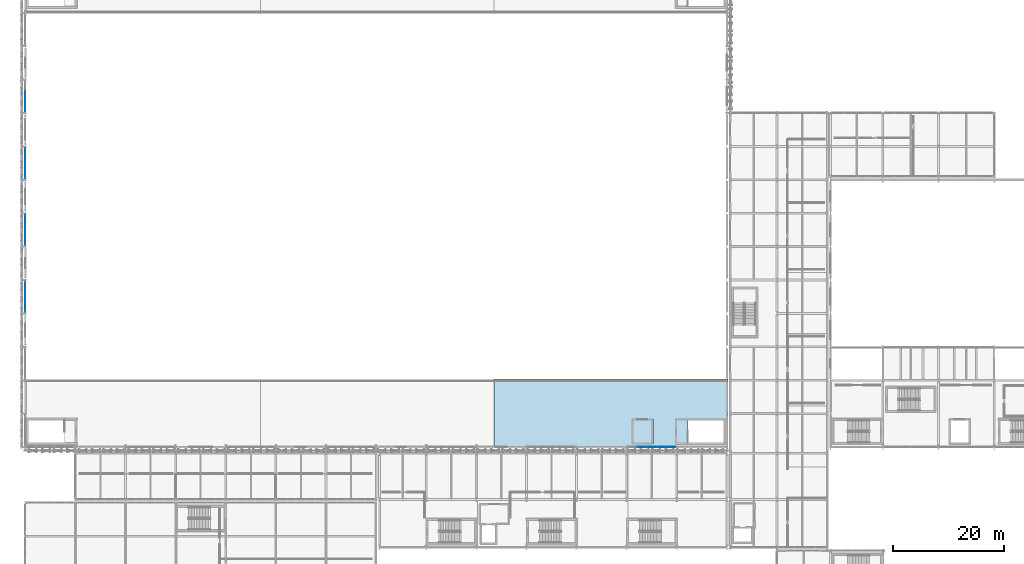
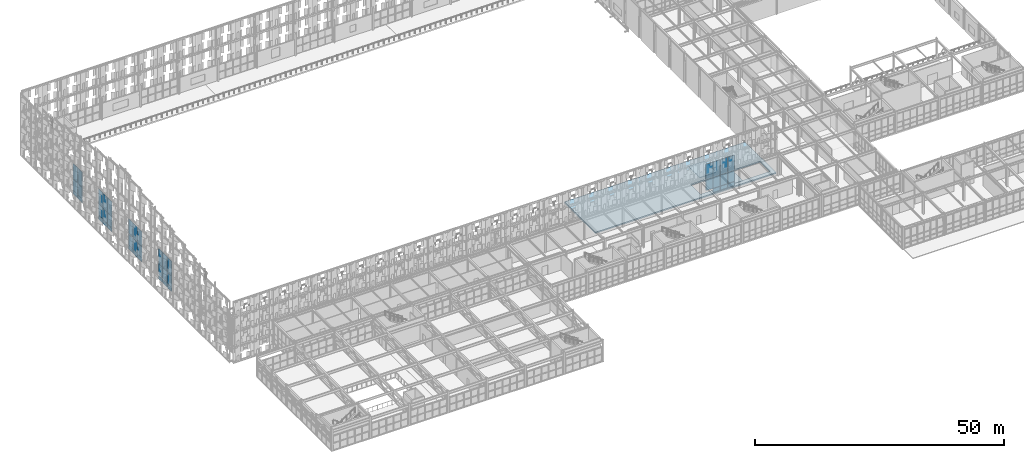
# One storey, part 139 of 210: 44 plates, 3 slabs, 5 elements without a shape of their own.
"""IFC4 building model written with IfcOpenShell, lengths in metres."""

from ifc_helpers import new_model, si_unit, direction, frame, origin, origin_2d, place, context, subcontext, project, spatial, polyline, rectangle, outline, extrude, material, layer, layer_set, type_object, element, aggregate, save


model = new_model("IFC4")

# Units and contexts
model_context = context("Model", 3, precision=1e-05, world=origin(), true_north=direction((0.0, 1.0)))
body_context = subcontext(model_context, "Body", "Model", "MODEL_VIEW")
ifc_project = project(units=[si_unit("LENGTHUNIT", "METRE"), si_unit("AREAUNIT", "SQUARE_METRE"), si_unit("VOLUMEUNIT", "CUBIC_METRE"), si_unit("PLANEANGLEUNIT", "RADIAN"), si_unit("MASSUNIT", "GRAM", prefix="KILO")], contexts=[model_context])

# Site, building, storey
site_placement = place(None, origin())
site = spatial("IfcSite", under=ifc_project, at=site_placement, CompositionType="ELEMENT")
building_placement = place(site_placement, origin())
building = spatial("IfcBuilding", under=site, at=building_placement, Name="Kaldris Quays Convention Centre", CompositionType="ELEMENT")
storey_placement = place(building_placement, frame((0.0, 0.0, 6.0)))
storey = spatial("IfcBuildingStorey", under=building, at=storey_placement, Name="L01", CompositionType="ELEMENT", Elevation=6.0)

# Curtain wall, plates
ifc_material_1 = material(Name="Anodized aluminium AW-6060 and triple glazing", Category="aluminium")
curtain_wall_type = type_object("IfcCurtainWallType", Name="UNITISED CURTAIN WALL CW03", PredefinedType="NOTDEFINED", material=ifc_material_1)
curtain_wall_1_placement = place(storey_placement, origin())
curtain_wall_1 = element("IfcCurtainWall", 1, at=curtain_wall_1_placement, inside=storey, type_object=curtain_wall_type, Name="L01 Unitised Curtain Wall CW03 17", PredefinedType="NOTDEFINED")
ifc_material_2 = material(Name="Triple low-E insulated glazing", Category="glass")
plate_type_1 = type_object("IfcPlateType", Name="CURTAIN GLAZING PANEL CWP1", PredefinedType="CURTAIN_PANEL", material=ifc_material_2)
plate_1_placement = place(storey_placement, frame((20.0, 81.181640625, 0.06005859375), z_axis=(0.0, 0.0, 1.0), x_axis=(0.0, 1.0, 0.0)))
plate_1 = element("IfcPlate", 2, at=plate_1_placement, type_object=plate_type_1, Name="CW03 panel 1.1", PredefinedType="CURTAIN_PANEL", context=body_context, shape_type="SweptSolid", body=[
    extrude(rectangle(XDim=1.743408203125, YDim=0.029052734375, at=origin_2d()), origin(), (0.0, 0.0, 1.0), 0.9599609375),
])
plate_2_placement = place(storey_placement, frame((20.0, 81.181640625, 1.080078125), z_axis=(0.0, 0.0, 1.0), x_axis=(0.0, 1.0, 0.0)))
plate_2 = element("IfcPlate", 3, at=plate_2_placement, type_object=plate_type_1, Name="CW03 panel 1.2", PredefinedType="CURTAIN_PANEL", context=body_context, shape_type="SweptSolid", body=[
    extrude(rectangle(XDim=1.743408203125, YDim=0.029052734375, at=origin_2d()), origin(), (0.0, 0.0, 1.0), 2.68994140625),
])
plate_3_placement = place(storey_placement, frame((20.0, 81.181640625, 3.830078125), z_axis=(0.0, 0.0, 1.0), x_axis=(0.0, 1.0, 0.0)))
plate_3 = element("IfcPlate", 4, at=plate_3_placement, type_object=plate_type_1, Name="CW03 panel 1.3", PredefinedType="CURTAIN_PANEL", context=body_context, shape_type="SweptSolid", body=[
    extrude(rectangle(XDim=1.743408203125, YDim=0.029052734375, at=origin_2d()), origin(), (0.0, 0.0, 1.0), 3.7099609375),
])
plate_4_placement = place(storey_placement, frame((20.0, 83.0, 0.06005859375), z_axis=(0.0, 0.0, 1.0), x_axis=(0.0, 1.0, 0.0)))
plate_4 = element("IfcPlate", 5, at=plate_4_placement, type_object=plate_type_1, Name="CW03 panel 2.1", PredefinedType="CURTAIN_PANEL", context=body_context, shape_type="SweptSolid", body=[
    extrude(rectangle(XDim=1.7734375, YDim=0.029052734375, at=origin_2d()), origin(), (0.0, 0.0, 1.0), 0.9599609375),
])
plate_5_placement = place(storey_placement, frame((20.0, 83.0, 1.080078125), z_axis=(0.0, 0.0, 1.0), x_axis=(0.0, 1.0, 0.0)))
plate_5 = element("IfcPlate", 6, at=plate_5_placement, type_object=plate_type_1, Name="CW03 panel 2.2", PredefinedType="CURTAIN_PANEL", context=body_context, shape_type="SweptSolid", body=[
    extrude(rectangle(XDim=1.7734375, YDim=0.029052734375, at=origin_2d()), origin(), (0.0, 0.0, 1.0), 2.68994140625),
])
plate_6_placement = place(storey_placement, frame((20.0, 83.0, 3.830078125), z_axis=(0.0, 0.0, 1.0), x_axis=(0.0, 1.0, 0.0)))
plate_6 = element("IfcPlate", 7, at=plate_6_placement, type_object=plate_type_1, Name="CW03 panel 2.3", PredefinedType="CURTAIN_PANEL", context=body_context, shape_type="SweptSolid", body=[
    extrude(rectangle(XDim=1.7734375, YDim=0.029052734375, at=origin_2d()), origin(), (0.0, 0.0, 1.0), 3.7099609375),
])
plate_7_placement = place(storey_placement, frame((20.0, 84.818359375, 0.06005859375), z_axis=(0.0, 0.0, 1.0), x_axis=(0.0, 1.0, 0.0)))
plate_7 = element("IfcPlate", 8, at=plate_7_placement, type_object=plate_type_1, Name="CW03 panel 3.1", PredefinedType="CURTAIN_PANEL", context=body_context, shape_type="SweptSolid", body=[
    extrude(rectangle(XDim=1.743408203125, YDim=0.029052734375, at=origin_2d()), origin(), (0.0, 0.0, 1.0), 0.9599609375),
])
plate_8_placement = place(storey_placement, frame((20.0, 84.818359375, 1.080078125), z_axis=(0.0, 0.0, 1.0), x_axis=(0.0, 1.0, 0.0)))
plate_8 = element("IfcPlate", 9, at=plate_8_placement, type_object=plate_type_1, Name="CW03 panel 3.2", PredefinedType="CURTAIN_PANEL", context=body_context, shape_type="SweptSolid", body=[
    extrude(rectangle(XDim=1.743408203125, YDim=0.029052734375, at=origin_2d()), origin(), (0.0, 0.0, 1.0), 2.68994140625),
])
plate_9_placement = place(storey_placement, frame((20.0, 84.818359375, 3.830078125), z_axis=(0.0, 0.0, 1.0), x_axis=(0.0, 1.0, 0.0)))
plate_9 = element("IfcPlate", 10, at=plate_9_placement, type_object=plate_type_1, Name="CW03 panel 3.3", PredefinedType="CURTAIN_PANEL", context=body_context, shape_type="SweptSolid", body=[
    extrude(rectangle(XDim=1.743408203125, YDim=0.029052734375, at=origin_2d()), origin(), (0.0, 0.0, 1.0), 3.7099609375),
])
aggregate(curtain_wall_1, [plate_1, plate_2, plate_3, plate_4, plate_5, plate_6, plate_7, plate_8, plate_9])

curtain_wall_2_placement = place(storey_placement, origin())
curtain_wall_2 = element("IfcCurtainWall", 11, at=curtain_wall_2_placement, inside=storey, type_object=curtain_wall_type, Name="L01 Unitised Curtain Wall CW03 18", PredefinedType="NOTDEFINED")
plate_type_2 = type_object("IfcPlateType", Name="CURTAIN GLAZING PANEL CWP2", PredefinedType="CURTAIN_PANEL", material=ifc_material_2)
plate_10_placement = place(storey_placement, frame((20.0, 93.181640625, 0.06005859375), z_axis=(0.0, 0.0, 1.0), x_axis=(0.0, 1.0, 0.0)))
plate_10 = element("IfcPlate", 12, at=plate_10_placement, type_object=plate_type_2, Name="CW03 panel 1.1", PredefinedType="CURTAIN_PANEL", context=body_context, shape_type="SweptSolid", body=[
    extrude(rectangle(XDim=1.743408203125, YDim=0.033935546875, at=origin_2d()), origin(), (0.0, 0.0, 1.0), 0.9599609375),
])
plate_11_placement = place(storey_placement, frame((20.0, 93.181640625, 1.080078125), z_axis=(0.0, 0.0, 1.0), x_axis=(0.0, 1.0, 0.0)))
plate_11 = element("IfcPlate", 13, at=plate_11_placement, type_object=plate_type_2, Name="CW03 panel 1.2", PredefinedType="CURTAIN_PANEL", context=body_context, shape_type="SweptSolid", body=[
    extrude(rectangle(XDim=1.743408203125, YDim=0.033935546875, at=origin_2d()), origin(), (0.0, 0.0, 1.0), 2.68994140625),
])
plate_12_placement = place(storey_placement, frame((20.0, 93.181640625, 3.830078125), z_axis=(0.0, 0.0, 1.0), x_axis=(0.0, 1.0, 0.0)))
plate_12 = element("IfcPlate", 14, at=plate_12_placement, type_object=plate_type_2, Name="CW03 panel 1.3", PredefinedType="CURTAIN_PANEL", context=body_context, shape_type="SweptSolid", body=[
    extrude(rectangle(XDim=1.743408203125, YDim=0.033935546875, at=origin_2d()), origin(), (0.0, 0.0, 1.0), 3.7099609375),
])
plate_13_placement = place(storey_placement, frame((20.0, 95.0, 0.06005859375), z_axis=(0.0, 0.0, 1.0), x_axis=(0.0, 1.0, 0.0)))
plate_13 = element("IfcPlate", 15, at=plate_13_placement, type_object=plate_type_2, Name="CW03 panel 2.1", PredefinedType="CURTAIN_PANEL", context=body_context, shape_type="SweptSolid", body=[
    extrude(rectangle(XDim=1.7734375, YDim=0.033935546875, at=origin_2d()), origin(), (0.0, 0.0, 1.0), 0.9599609375),
])
plate_14_placement = place(storey_placement, frame((20.0, 95.0, 1.080078125), z_axis=(0.0, 0.0, 1.0), x_axis=(0.0, 1.0, 0.0)))
plate_14 = element("IfcPlate", 16, at=plate_14_placement, type_object=plate_type_2, Name="CW03 panel 2.2", PredefinedType="CURTAIN_PANEL", context=body_context, shape_type="SweptSolid", body=[
    extrude(rectangle(XDim=1.7734375, YDim=0.033935546875, at=origin_2d()), origin(), (0.0, 0.0, 1.0), 2.68994140625),
])
plate_15_placement = place(storey_placement, frame((20.0, 95.0, 3.830078125), z_axis=(0.0, 0.0, 1.0), x_axis=(0.0, 1.0, 0.0)))
plate_15 = element("IfcPlate", 17, at=plate_15_placement, type_object=plate_type_2, Name="CW03 panel 2.3", PredefinedType="CURTAIN_PANEL", context=body_context, shape_type="SweptSolid", body=[
    extrude(rectangle(XDim=1.7734375, YDim=0.033935546875, at=origin_2d()), origin(), (0.0, 0.0, 1.0), 3.7099609375),
])
plate_16_placement = place(storey_placement, frame((20.0, 96.818359375, 0.06005859375), z_axis=(0.0, 0.0, 1.0), x_axis=(0.0, 1.0, 0.0)))
plate_16 = element("IfcPlate", 18, at=plate_16_placement, type_object=plate_type_2, Name="CW03 panel 3.1", PredefinedType="CURTAIN_PANEL", context=body_context, shape_type="SweptSolid", body=[
    extrude(rectangle(XDim=1.743408203125, YDim=0.033935546875, at=origin_2d()), origin(), (0.0, 0.0, 1.0), 0.9599609375),
])
plate_17_placement = place(storey_placement, frame((20.0, 96.818359375, 1.080078125), z_axis=(0.0, 0.0, 1.0), x_axis=(0.0, 1.0, 0.0)))
plate_17 = element("IfcPlate", 19, at=plate_17_placement, type_object=plate_type_2, Name="CW03 panel 3.2", PredefinedType="CURTAIN_PANEL", context=body_context, shape_type="SweptSolid", body=[
    extrude(rectangle(XDim=1.743408203125, YDim=0.033935546875, at=origin_2d()), origin(), (0.0, 0.0, 1.0), 2.68994140625),
])
plate_18_placement = place(storey_placement, frame((20.0, 96.818359375, 3.830078125), z_axis=(0.0, 0.0, 1.0), x_axis=(0.0, 1.0, 0.0)))
plate_18 = element("IfcPlate", 20, at=plate_18_placement, type_object=plate_type_2, Name="CW03 panel 3.3", PredefinedType="CURTAIN_PANEL", context=body_context, shape_type="SweptSolid", body=[
    extrude(rectangle(XDim=1.743408203125, YDim=0.033935546875, at=origin_2d()), origin(), (0.0, 0.0, 1.0), 3.7099609375),
])
aggregate(curtain_wall_2, [plate_10, plate_11, plate_12, plate_13, plate_14, plate_15, plate_16, plate_17, plate_18])

curtain_wall_3_placement = place(storey_placement, origin())
curtain_wall_3 = element("IfcCurtainWall", 21, at=curtain_wall_3_placement, inside=storey, type_object=curtain_wall_type, Name="L01 Unitised Curtain Wall CW03 19", PredefinedType="NOTDEFINED")
plate_type_3 = type_object("IfcPlateType", Name="CURTAIN GLAZING PANEL CWP3", PredefinedType="CURTAIN_PANEL", material=ifc_material_2)
plate_19_placement = place(storey_placement, frame((20.0, 105.181640625, 0.06005859375), z_axis=(0.0, 0.0, 1.0), x_axis=(0.0, 1.0, 0.0)))
plate_19 = element("IfcPlate", 22, at=plate_19_placement, type_object=plate_type_3, Name="CW03 panel 1.1", PredefinedType="CURTAIN_PANEL", context=body_context, shape_type="SweptSolid", body=[
    extrude(rectangle(XDim=1.743408203125, YDim=0.0390625, at=origin_2d()), origin(), (0.0, 0.0, 1.0), 0.9599609375),
])
plate_20_placement = place(storey_placement, frame((20.0, 105.181640625, 1.080078125), z_axis=(0.0, 0.0, 1.0), x_axis=(0.0, 1.0, 0.0)))
plate_20 = element("IfcPlate", 23, at=plate_20_placement, type_object=plate_type_3, Name="CW03 panel 1.2", PredefinedType="CURTAIN_PANEL", context=body_context, shape_type="SweptSolid", body=[
    extrude(rectangle(XDim=1.743408203125, YDim=0.0390625, at=origin_2d()), origin(), (0.0, 0.0, 1.0), 2.68994140625),
])
plate_21_placement = place(storey_placement, frame((20.0, 105.181640625, 3.830078125), z_axis=(0.0, 0.0, 1.0), x_axis=(0.0, 1.0, 0.0)))
plate_21 = element("IfcPlate", 24, at=plate_21_placement, type_object=plate_type_3, Name="CW03 panel 1.3", PredefinedType="CURTAIN_PANEL", context=body_context, shape_type="SweptSolid", body=[
    extrude(rectangle(XDim=1.743408203125, YDim=0.0390625, at=origin_2d()), origin(), (0.0, 0.0, 1.0), 3.7099609375),
])
plate_22_placement = place(storey_placement, frame((20.0, 107.0, 0.06005859375), z_axis=(0.0, 0.0, 1.0), x_axis=(0.0, 1.0, 0.0)))
plate_22 = element("IfcPlate", 25, at=plate_22_placement, type_object=plate_type_3, Name="CW03 panel 2.1", PredefinedType="CURTAIN_PANEL", context=body_context, shape_type="SweptSolid", body=[
    extrude(rectangle(XDim=1.7734375, YDim=0.0390625, at=origin_2d()), origin(), (0.0, 0.0, 1.0), 0.9599609375),
])
plate_23_placement = place(storey_placement, frame((20.0, 107.0, 1.080078125), z_axis=(0.0, 0.0, 1.0), x_axis=(0.0, 1.0, 0.0)))
plate_23 = element("IfcPlate", 26, at=plate_23_placement, type_object=plate_type_3, Name="CW03 panel 2.2", PredefinedType="CURTAIN_PANEL", context=body_context, shape_type="SweptSolid", body=[
    extrude(rectangle(XDim=1.7734375, YDim=0.0390625, at=origin_2d()), origin(), (0.0, 0.0, 1.0), 2.68994140625),
])
plate_24_placement = place(storey_placement, frame((20.0, 107.0, 3.830078125), z_axis=(0.0, 0.0, 1.0), x_axis=(0.0, 1.0, 0.0)))
plate_24 = element("IfcPlate", 27, at=plate_24_placement, type_object=plate_type_3, Name="CW03 panel 2.3", PredefinedType="CURTAIN_PANEL", context=body_context, shape_type="SweptSolid", body=[
    extrude(rectangle(XDim=1.7734375, YDim=0.0390625, at=origin_2d()), origin(), (0.0, 0.0, 1.0), 3.7099609375),
])
plate_25_placement = place(storey_placement, frame((20.0, 108.818359375, 0.06005859375), z_axis=(0.0, 0.0, 1.0), x_axis=(0.0, 1.0, 0.0)))
plate_25 = element("IfcPlate", 28, at=plate_25_placement, type_object=plate_type_3, Name="CW03 panel 3.1", PredefinedType="CURTAIN_PANEL", context=body_context, shape_type="SweptSolid", body=[
    extrude(rectangle(XDim=1.743408203125, YDim=0.0390625, at=origin_2d()), origin(), (0.0, 0.0, 1.0), 0.9599609375),
])
plate_26_placement = place(storey_placement, frame((20.0, 108.818359375, 1.080078125), z_axis=(0.0, 0.0, 1.0), x_axis=(0.0, 1.0, 0.0)))
plate_26 = element("IfcPlate", 29, at=plate_26_placement, type_object=plate_type_3, Name="CW03 panel 3.2", PredefinedType="CURTAIN_PANEL", context=body_context, shape_type="SweptSolid", body=[
    extrude(rectangle(XDim=1.743408203125, YDim=0.0390625, at=origin_2d()), origin(), (0.0, 0.0, 1.0), 2.68994140625),
])
plate_27_placement = place(storey_placement, frame((20.0, 108.818359375, 3.830078125), z_axis=(0.0, 0.0, 1.0), x_axis=(0.0, 1.0, 0.0)))
plate_27 = element("IfcPlate", 30, at=plate_27_placement, type_object=plate_type_3, Name="CW03 panel 3.3", PredefinedType="CURTAIN_PANEL", context=body_context, shape_type="SweptSolid", body=[
    extrude(rectangle(XDim=1.743408203125, YDim=0.0390625, at=origin_2d()), origin(), (0.0, 0.0, 1.0), 3.7099609375),
])
aggregate(curtain_wall_3, [plate_19, plate_20, plate_21, plate_22, plate_23, plate_24, plate_25, plate_26, plate_27])

curtain_wall_4_placement = place(storey_placement, origin())
curtain_wall_4 = element("IfcCurtainWall", 31, at=curtain_wall_4_placement, inside=storey, type_object=curtain_wall_type, Name="L01 Unitised Curtain Wall CW03 20", PredefinedType="NOTDEFINED")
plate_type_4 = type_object("IfcPlateType", Name="CURTAIN GLAZING PANEL CWP4", PredefinedType="CURTAIN_PANEL", material=ifc_material_2)
plate_28_placement = place(storey_placement, frame((20.0, 117.181640625, 0.06005859375), z_axis=(0.0, 0.0, 1.0), x_axis=(0.0, 1.0, 0.0)))
plate_28 = element("IfcPlate", 32, at=plate_28_placement, type_object=plate_type_4, Name="CW03 panel 1.1", PredefinedType="CURTAIN_PANEL", context=body_context, shape_type="SweptSolid", body=[
    extrude(rectangle(XDim=1.743408203125, YDim=0.0439453125, at=origin_2d()), origin(), (0.0, 0.0, 1.0), 0.9599609375),
])
plate_29_placement = place(storey_placement, frame((20.0, 117.181640625, 1.080078125), z_axis=(0.0, 0.0, 1.0), x_axis=(0.0, 1.0, 0.0)))
plate_29 = element("IfcPlate", 33, at=plate_29_placement, type_object=plate_type_4, Name="CW03 panel 1.2", PredefinedType="CURTAIN_PANEL", context=body_context, shape_type="SweptSolid", body=[
    extrude(rectangle(XDim=1.743408203125, YDim=0.0439453125, at=origin_2d()), origin(), (0.0, 0.0, 1.0), 2.68994140625),
])
plate_30_placement = place(storey_placement, frame((20.0, 117.181640625, 3.830078125), z_axis=(0.0, 0.0, 1.0), x_axis=(0.0, 1.0, 0.0)))
plate_30 = element("IfcPlate", 34, at=plate_30_placement, type_object=plate_type_4, Name="CW03 panel 1.3", PredefinedType="CURTAIN_PANEL", context=body_context, shape_type="SweptSolid", body=[
    extrude(rectangle(XDim=1.743408203125, YDim=0.0439453125, at=origin_2d()), origin(), (0.0, 0.0, 1.0), 3.7099609375),
])
plate_31_placement = place(storey_placement, frame((20.0, 119.0, 0.06005859375), z_axis=(0.0, 0.0, 1.0), x_axis=(0.0, 1.0, 0.0)))
plate_31 = element("IfcPlate", 35, at=plate_31_placement, type_object=plate_type_4, Name="CW03 panel 2.1", PredefinedType="CURTAIN_PANEL", context=body_context, shape_type="SweptSolid", body=[
    extrude(rectangle(XDim=1.7734375, YDim=0.0439453125, at=origin_2d()), origin(), (0.0, 0.0, 1.0), 0.9599609375),
])
plate_32_placement = place(storey_placement, frame((20.0, 119.0, 1.080078125), z_axis=(0.0, 0.0, 1.0), x_axis=(0.0, 1.0, 0.0)))
plate_32 = element("IfcPlate", 36, at=plate_32_placement, type_object=plate_type_4, Name="CW03 panel 2.2", PredefinedType="CURTAIN_PANEL", context=body_context, shape_type="SweptSolid", body=[
    extrude(rectangle(XDim=1.7734375, YDim=0.0439453125, at=origin_2d()), origin(), (0.0, 0.0, 1.0), 2.68994140625),
])
plate_33_placement = place(storey_placement, frame((20.0, 119.0, 3.830078125), z_axis=(0.0, 0.0, 1.0), x_axis=(0.0, 1.0, 0.0)))
plate_33 = element("IfcPlate", 37, at=plate_33_placement, type_object=plate_type_4, Name="CW03 panel 2.3", PredefinedType="CURTAIN_PANEL", context=body_context, shape_type="SweptSolid", body=[
    extrude(rectangle(XDim=1.7734375, YDim=0.0439453125, at=origin_2d()), origin(), (0.0, 0.0, 1.0), 3.7099609375),
])
aggregate(curtain_wall_4, [plate_28, plate_29, plate_30, plate_31, plate_32, plate_33])

curtain_wall_5_placement = place(storey_placement, origin())
curtain_wall_5 = element("IfcCurtainWall", 38, at=curtain_wall_5_placement, inside=storey, type_object=curtain_wall_type, Name="L01 Unitised Curtain Wall CW03 13", PredefinedType="NOTDEFINED")
plate_type_5 = type_object("IfcPlateType", Name="CURTAIN GLAZING PANEL CWP5", PredefinedType="CURTAIN_PANEL", material=ifc_material_2)
plate_34_placement = place(storey_placement, frame((130.800048828125, 56.0, 1.080078125), z_axis=(0.0, 0.0, 1.0), x_axis=(1.0, 0.0, 0.0)))
plate_34 = element("IfcPlate", 39, at=plate_34_placement, type_object=plate_type_5, Name="CW03 panel 2.2", PredefinedType="CURTAIN_PANEL", context=body_context, shape_type="SweptSolid", body=[
    extrude(rectangle(XDim=1.639892578125, YDim=0.049072265625, at=origin_2d()), origin(), (0.0, 0.0, 1.0), 2.68994140625),
])
plate_35_placement = place(storey_placement, frame((130.800048828125, 56.0, 3.830078125), z_axis=(0.0, 0.0, 1.0), x_axis=(1.0, 0.0, 0.0)))
plate_35 = element("IfcPlate", 40, at=plate_35_placement, type_object=plate_type_5, Name="CW03 panel 2.3", PredefinedType="CURTAIN_PANEL", context=body_context, shape_type="SweptSolid", body=[
    extrude(rectangle(XDim=1.639892578125, YDim=0.049072265625, at=origin_2d()), origin(), (0.0, 0.0, 1.0), 3.7099609375),
])
plate_36_placement = place(storey_placement, frame((132.5, 56.0, 0.06005859375), z_axis=(0.0, 0.0, 1.0), x_axis=(1.0, 0.0, 0.0)))
plate_36 = element("IfcPlate", 41, at=plate_36_placement, type_object=plate_type_5, Name="CW03 panel 3.1", PredefinedType="CURTAIN_PANEL", context=body_context, shape_type="SweptSolid", body=[
    extrude(rectangle(XDim=1.639892578125, YDim=0.049072265625, at=origin_2d()), origin(), (0.0, 0.0, 1.0), 0.9599609375),
])
plate_37_placement = place(storey_placement, frame((132.5, 56.0, 1.080078125), z_axis=(0.0, 0.0, 1.0), x_axis=(1.0, 0.0, 0.0)))
plate_37 = element("IfcPlate", 42, at=plate_37_placement, type_object=plate_type_5, Name="CW03 panel 3.2", PredefinedType="CURTAIN_PANEL", context=body_context, shape_type="SweptSolid", body=[
    extrude(rectangle(XDim=1.639892578125, YDim=0.049072265625, at=origin_2d()), origin(), (0.0, 0.0, 1.0), 2.68994140625),
])
plate_38_placement = place(storey_placement, frame((132.5, 56.0, 3.830078125), z_axis=(0.0, 0.0, 1.0), x_axis=(1.0, 0.0, 0.0)))
plate_38 = element("IfcPlate", 43, at=plate_38_placement, type_object=plate_type_5, Name="CW03 panel 3.3", PredefinedType="CURTAIN_PANEL", context=body_context, shape_type="SweptSolid", body=[
    extrude(rectangle(XDim=1.639892578125, YDim=0.049072265625, at=origin_2d()), origin(), (0.0, 0.0, 1.0), 3.7099609375),
])
plate_39_placement = place(storey_placement, frame((134.199951171875, 56.0, 0.06005859375), z_axis=(0.0, 0.0, 1.0), x_axis=(1.0, 0.0, 0.0)))
plate_39 = element("IfcPlate", 44, at=plate_39_placement, type_object=plate_type_5, Name="CW03 panel 4.1", PredefinedType="CURTAIN_PANEL", context=body_context, shape_type="SweptSolid", body=[
    extrude(rectangle(XDim=1.639892578125, YDim=0.049072265625, at=origin_2d()), origin(), (0.0, 0.0, 1.0), 0.9599609375),
])
plate_40_placement = place(storey_placement, frame((134.199951171875, 56.0, 1.080078125), z_axis=(0.0, 0.0, 1.0), x_axis=(1.0, 0.0, 0.0)))
plate_40 = element("IfcPlate", 45, at=plate_40_placement, type_object=plate_type_5, Name="CW03 panel 4.2", PredefinedType="CURTAIN_PANEL", context=body_context, shape_type="SweptSolid", body=[
    extrude(rectangle(XDim=1.639892578125, YDim=0.049072265625, at=origin_2d()), origin(), (0.0, 0.0, 1.0), 2.68994140625),
])
plate_41_placement = place(storey_placement, frame((134.199951171875, 56.0, 3.830078125), z_axis=(0.0, 0.0, 1.0), x_axis=(1.0, 0.0, 0.0)))
plate_41 = element("IfcPlate", 46, at=plate_41_placement, type_object=plate_type_5, Name="CW03 panel 4.3", PredefinedType="CURTAIN_PANEL", context=body_context, shape_type="SweptSolid", body=[
    extrude(rectangle(XDim=1.639892578125, YDim=0.049072265625, at=origin_2d()), origin(), (0.0, 0.0, 1.0), 3.7099609375),
])
plate_42_placement = place(storey_placement, frame((135.885009765625, 56.0, 0.06005859375), z_axis=(0.0, 0.0, 1.0), x_axis=(1.0, 0.0, 0.0)))
plate_42 = element("IfcPlate", 47, at=plate_42_placement, type_object=plate_type_5, Name="CW03 panel 5.1", PredefinedType="CURTAIN_PANEL", context=body_context, shape_type="SweptSolid", body=[
    extrude(rectangle(XDim=1.610107421875, YDim=0.049072265625, at=origin_2d()), origin(), (0.0, 0.0, 1.0), 0.9599609375),
])
plate_43_placement = place(storey_placement, frame((135.885009765625, 56.0, 1.080078125), z_axis=(0.0, 0.0, 1.0), x_axis=(1.0, 0.0, 0.0)))
plate_43 = element("IfcPlate", 48, at=plate_43_placement, type_object=plate_type_5, Name="CW03 panel 5.2", PredefinedType="CURTAIN_PANEL", context=body_context, shape_type="SweptSolid", body=[
    extrude(rectangle(XDim=1.610107421875, YDim=0.049072265625, at=origin_2d()), origin(), (0.0, 0.0, 1.0), 2.68994140625),
])
plate_44_placement = place(storey_placement, frame((135.885009765625, 56.0, 3.830078125), z_axis=(0.0, 0.0, 1.0), x_axis=(1.0, 0.0, 0.0)))
plate_44 = element("IfcPlate", 49, at=plate_44_placement, type_object=plate_type_5, Name="CW03 panel 5.3", PredefinedType="CURTAIN_PANEL", context=body_context, shape_type="SweptSolid", body=[
    extrude(rectangle(XDim=1.610107421875, YDim=0.049072265625, at=origin_2d()), origin(), (0.0, 0.0, 1.0), 3.7099609375),
])
aggregate(curtain_wall_5, [plate_34, plate_35, plate_36, plate_37, plate_38, plate_39, plate_40, plate_41, plate_42, plate_43, plate_44])

# Slabs
ifc_material_3 = material(Name="Concrete C35/45", Category="concrete")
ifc_layer_1 = layer(ifc_material_3, 0.31494140625)
ifc_layer_set_1 = layer_set([ifc_layer_1], Name="Concrete C35/45")
slab_type_1 = type_object("IfcSlabType", Name="STRUCTURAL SLAB FS03", PredefinedType="FLOOR", material=ifc_layer_set_1)
slab_1_placement = place(storey_placement, frame((0.0, 0.0, -0.31494140625)))
element("IfcSlab", 50, at=slab_1_placement, inside=storey, type_object=slab_type_1, Name="L01 V1 South Gallery 3 SLAB-L01-V1GS-3", PredefinedType="FLOOR", context=body_context, shape_type="SweptSolid", body=[
    extrude(outline(polyline([(146.199951171875, 68.199951171875), (146.199951171875, 55.800048828125), (104.201904296875, 55.800048828125), (104.201904296875, 68.199951171875), (146.199951171875, 68.199951171875)]), holes=[polyline([(132.39990234375, 56.800048828125), (132.39990234375, 60.800048828125), (129.199951171875, 60.800048828125), (129.199951171875, 56.800048828125), (132.39990234375, 56.800048828125)]), polyline([(136.92919921875, 56.67822265625), (139.000244140625, 56.677978515625), (139.001953125, 56.800048828125), (145.449951171875, 56.800048828125), (145.449951171875, 60.85009765625), (139.001953125, 60.85009765625), (139.000244140625, 60.971923828125), (136.92919921875, 60.9716796875), (136.92919921875, 56.67822265625)])]), origin(), (0.0, 0.0, 1.0), 0.31494140625),
])
ifc_layer_2 = layer(ifc_material_3, 0.27490234375)
ifc_layer_set_2 = layer_set([ifc_layer_2], Name="Concrete C35/45")
slab_type_2 = type_object("IfcSlabType", Name="STRUCTURAL SLAB FS05", PredefinedType="FLOOR", material=ifc_layer_set_2)
slab_2_placement = place(storey_placement, frame((0.0, 0.0, -0.27490234375)))
element("IfcSlab", 51, at=slab_2_placement, inside=storey, type_object=slab_type_2, Name="L01 ST02 Core Floor Landing Slab", PredefinedType="FLOOR", context=body_context, shape_type="SweptSolid", body=[
    extrude(outline(polyline([(136.929931640625, 56.679931640625), (139.0, 56.679931640625), (139.0, 60.969970703125), (136.929931640625, 60.969970703125), (136.929931640625, 56.679931640625)])), origin(), (0.0, 0.0, 1.0), 0.27490234375),
])
ifc_layer_3 = layer(ifc_material_3, 0.205078125)
ifc_layer_set_3 = layer_set([ifc_layer_3], Name="Concrete C35/45")
slab_type_3 = type_object("IfcSlabType", Name="STRUCTURAL SLAB RS01", PredefinedType="ROOF", material=ifc_layer_set_3)
slab_3_placement = place(storey_placement, frame((0.0, 0.0, 4.199951171875)))
element("IfcSlab", 52, at=slab_3_placement, inside=storey, type_object=slab_type_3, Name="GL01 Lift Overrun Cap Slab", PredefinedType="ROOF", context=body_context, shape_type="SweptSolid", body=[
    extrude(outline(polyline([(128.919921875, 56.52001953125), (132.679931640625, 56.52001953125), (132.679931640625, 61.080078125), (128.919921875, 61.080078125), (128.919921875, 56.52001953125)])), origin(), (0.0, 0.0, 1.0), 0.205078125),
])

save(model, "model.ifc")
